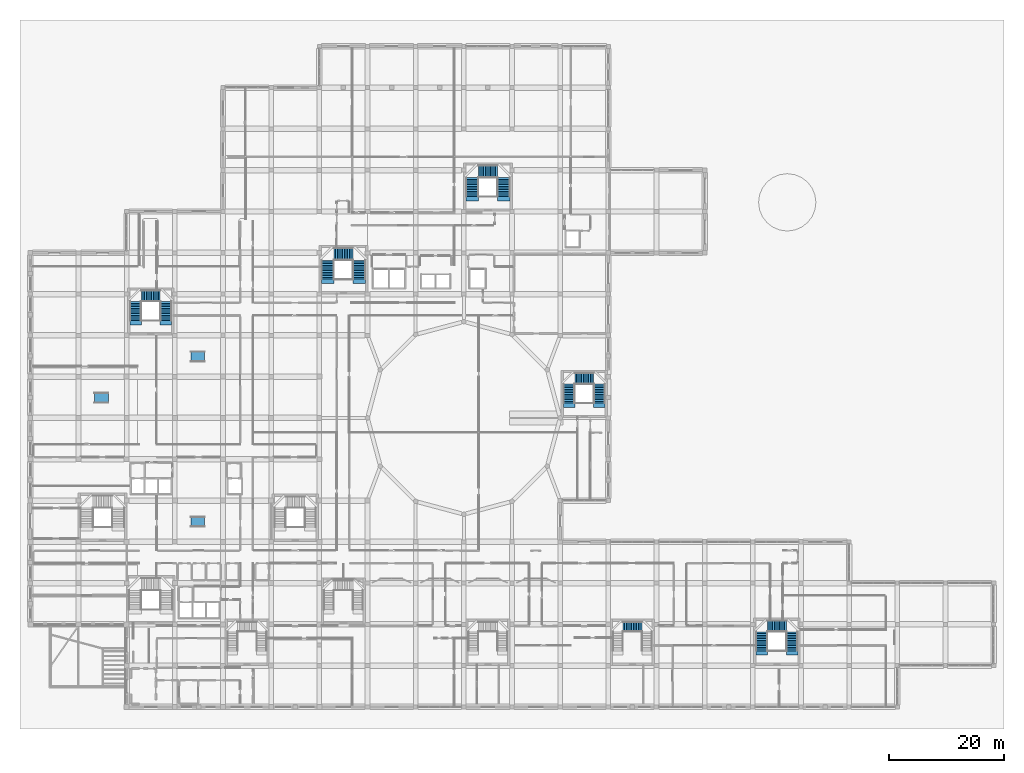
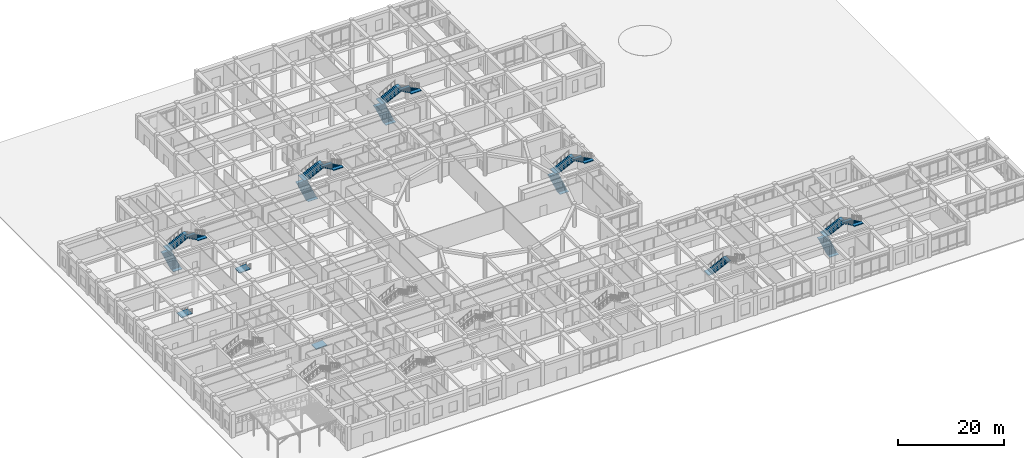
# One storey, part 78 of 84: 16 stair flights, 3 ramp flights, 9 elements without a shape of their own.
"""IFC4 building model written with IfcOpenShell, lengths in metres."""

import ifcopenshell
import ifcopenshell.guid

model = None  # the IFC model being written
_history = None  # IfcOwnerHistory: only IFC2X3 demands one
_inside = {}  # id of a spatial element -> (the spatial element, [elements in it])
_under = {}  # id of a project, library or spatial element -> (it, [spatial elements below it])
_declared = {}  # id of a project -> (the project, [libraries it declares])
_typed = {}  # id of a type object -> (the type object, [elements of that type])
_made_of = {}  # id of a material, layer set ... -> (it, [elements and type objects made of it])


def new_model(schema):
    """Start an empty IFC model of exactly this schema.

    Asked for "IFC4X3", IfcOpenShell would pick the latest addendum, in which some entities
    have other attributes; the version numbers below select the first issue.
    IFC2X3 requires an IfcOwnerHistory on every rooted entity: one is made here for all.
    """
    global model, _history
    if schema == "IFC4X3":
        model = ifcopenshell.file(schema_version=(4, 3, 0, 0))
    else:
        model = ifcopenshell.file(schema=schema)
    _inside.clear()
    _under.clear()
    _declared.clear()
    _typed.clear()
    _made_of.clear()
    _history = None
    if model.schema == "IFC2X3":
        org = make("IfcOrganization", Name="unknown")
        user = make(
            "IfcPersonAndOrganization",
            ThePerson=make("IfcPerson", FamilyName="unknown"),
            TheOrganization=org,
        )
        app = make(
            "IfcApplication",
            ApplicationDeveloper=org,
            Version="unknown",
            ApplicationFullName="unknown",
            ApplicationIdentifier="unknown",
        )
        _history = make(
            "IfcOwnerHistory",
            OwningUser=user,
            OwningApplication=app,
            ChangeAction="ADDED",
            CreationDate=0,
        )
    return model


def make(cls, **values):
    """One entity of the class cls with the attributes given. An attribute that is None is left unset."""
    return model.create_entity(
        cls, **{name: value for name, value in values.items() if value is not None}
    )


def rooted(cls, **values):
    """An entity with a GlobalId (a new one), such as an element, a storey or a relation."""
    return make(cls, GlobalId=ifcopenshell.guid.new(), OwnerHistory=_history, **values)


def si_unit(unit_type, name, prefix=None):
    """IfcSIUnit, for example si_unit("LENGTHUNIT", "METRE", prefix="MILLI")."""
    return make("IfcSIUnit", UnitType=unit_type, Prefix=prefix, Name=name)


def derived_unit(unit_type, elements):
    """IfcDerivedUnit: a product of units, each with its exponent."""
    return make(
        "IfcDerivedUnit",
        Elements=[
            make("IfcDerivedUnitElement", Unit=unit, Exponent=power)
            for unit, power in elements
        ],
        UnitType=unit_type,
    )


def assignment(units):
    """IfcUnitAssignment: the units of a project."""
    return None if units is None else make("IfcUnitAssignment", Units=units)


def point(xyz):
    """IfcCartesianPoint."""
    return None if xyz is None else make("IfcCartesianPoint", Coordinates=xyz)


def direction(xyz):
    """IfcDirection."""
    return None if xyz is None else make("IfcDirection", DirectionRatios=xyz)


def frame(location, z_axis=None, x_axis=None):
    """IfcAxis2Placement3D, a coordinate frame: its origin and axes. An axis left out is left unset."""
    return make(
        "IfcAxis2Placement3D",
        Location=point(location),
        Axis=direction(z_axis),
        RefDirection=direction(x_axis),
    )


def origin():
    """The frame at (0, 0, 0) with its axes left unset."""
    return frame((0.0, 0.0, 0.0))


def place(relative_to, where):
    """IfcLocalPlacement: puts the frame where relative to a parent placement (None: the world)."""
    return make(
        "IfcLocalPlacement", PlacementRelTo=relative_to, RelativePlacement=where
    )


def context(
    kind, dimensions, precision=None, world=None, true_north=None, identifier=None
):
    """IfcGeometricRepresentationContext, for example the 3D "Model" context."""
    return make(
        "IfcGeometricRepresentationContext",
        ContextIdentifier=identifier,
        ContextType=kind,
        CoordinateSpaceDimension=dimensions,
        Precision=precision,
        WorldCoordinateSystem=world,
        TrueNorth=true_north,
    )


def subcontext(parent, identifier, kind, view, scale=None):
    """IfcGeometricRepresentationSubContext, for example "Body" below "Model"."""
    return make(
        "IfcGeometricRepresentationSubContext",
        ContextIdentifier=identifier,
        ContextType=kind,
        ParentContext=parent,
        TargetScale=scale,
        TargetView=view,
    )


def project(units=None, contexts=None):
    """IfcProject with its units and contexts."""
    return rooted(
        "IfcProject",
        Name="project",
        RepresentationContexts=contexts,
        UnitsInContext=assignment(units),
    )


def spatial(cls, under=None, at=None, **own):
    """A site, building, storey or space (cls), placed at a placement, below another one or the project."""
    s = rooted(cls, ObjectPlacement=at, **own)
    if under is not None:
        _under.setdefault(under.id(), (under, []))[1].append(s)
    return s


def polyline(points):
    """IfcPolyline through the points."""
    return make("IfcPolyline", Points=[point(p) for p in points])


def outline(outer, holes=None, kind="AREA"):
    """IfcArbitraryClosedProfileDef: a profile drawn as a closed curve; with holes, ...WithVoids."""
    if holes is None:
        return make("IfcArbitraryClosedProfileDef", ProfileType=kind, OuterCurve=outer)
    return make(
        "IfcArbitraryProfileDefWithVoids",
        ProfileType=kind,
        OuterCurve=outer,
        InnerCurves=holes,
    )


def extrude(swept, where, along, depth):
    """IfcExtrudedAreaSolid: the profile swept, set in the frame where, extruded along a direction by depth."""
    return make(
        "IfcExtrudedAreaSolid",
        SweptArea=swept,
        Position=where,
        ExtrudedDirection=direction(along),
        Depth=depth,
    )


def shape(context_of_items, identifier, shape_type, items):
    """IfcShapeRepresentation: the items that make up one representation, for example the "Body"."""
    return make(
        "IfcShapeRepresentation",
        ContextOfItems=context_of_items,
        RepresentationIdentifier=identifier,
        RepresentationType=shape_type,
        Items=items,
    )


def material(Name=None, Category=None):
    """IfcMaterial."""
    return make("IfcMaterial", Name=Name, Category=Category)


def layer(
    of_material, thickness, ventilated=None, Name=None, Category=None, Priority=None
):
    """IfcMaterialLayer: one layer of a wall or slab, of a material (None: an air gap)."""
    return make(
        "IfcMaterialLayer",
        Material=of_material,
        LayerThickness=thickness,
        IsVentilated=ventilated,
        Name=Name,
        Category=Category,
        Priority=Priority,
    )


def layer_set(layers, Name=None):
    """IfcMaterialLayerSet."""
    return make("IfcMaterialLayerSet", MaterialLayers=layers, LayerSetName=Name)


def made_of(thing, what):
    """Note that an element or type object is made of a material, layer set ...; save() writes the relation."""
    if what is not None:
        _made_of.setdefault(what.id(), (what, []))[1].append(thing)
    return thing


def type_object(cls, material=None, **own):
    """A type object (cls), such as IfcWallType, which elements share."""
    return made_of(rooted(cls, **own), material)


def element(
    cls,
    number,
    at=None,
    inside=None,
    cuts=None,
    type_object=None,
    material=None,
    context=None,
    identifier="Body",
    shape_type=None,
    held_by="IfcProductDefinitionShape",
    body=None,
    shapes=None,
    **own,
):
    """One element of the class cls, such as IfcWall. Its Tag is "e" and its number.

    at: its placement. inside: the storey or other place that contains it. cuts: it is an
    opening in that element (IfcRelVoidsElement). A single representation is given by context,
    identifier, shape_type and body (its items); several are given by shapes. held_by: the class
    of the entity that holds the representations. save() writes the other relations.
    """
    e = rooted(cls, Tag="e%d" % number, ObjectPlacement=at, **own)
    if body is not None:
        shapes = [shape(context, identifier, shape_type, body)]
    if shapes is not None:
        e.Representation = make(held_by, Representations=shapes)
    if inside is not None:
        _inside.setdefault(inside.id(), (inside, []))[1].append(e)
    if cuts is not None:
        rooted(
            "IfcRelVoidsElement", RelatingBuildingElement=cuts, RelatedOpeningElement=e
        )
    if type_object is not None:
        _typed.setdefault(type_object.id(), (type_object, []))[1].append(e)
    return made_of(e, material)


def aggregate(whole, parts):
    """IfcRelAggregates: a whole, such as a stair, and the parts it consists of."""
    return rooted("IfcRelAggregates", RelatingObject=whole, RelatedObjects=parts)


def save(model, path):
    """Write the relations noted so far, then the file.

    IfcRelAggregates (storeys below a building ...), IfcRelContainedInSpatialStructure (elements
    in a storey), IfcRelDefinesByType, IfcRelAssociatesMaterial and IfcRelDeclares: one each for
    every whole, place, type object, material and project.
    """
    for whole, parts in _under.values():
        aggregate(whole, parts)
    for where, things in _inside.values():
        rooted(
            "IfcRelContainedInSpatialStructure",
            RelatedElements=things,
            RelatingStructure=where,
        )
    for kind, things in _typed.values():
        rooted("IfcRelDefinesByType", RelatedObjects=things, RelatingType=kind)
    for what, things in _made_of.values():
        rooted("IfcRelAssociatesMaterial", RelatedObjects=things, RelatingMaterial=what)
    for by, libraries in _declared.values():
        rooted("IfcRelDeclares", RelatingContext=by, RelatedDefinitions=libraries)
    model.write(path)


model = new_model("IFC4")

# Units and contexts
model_context = context("Model", 3, precision=1e-05, world=origin(), true_north=direction((0.0, 1.0)))
body_context = subcontext(model_context, "Body", "Model", "MODEL_VIEW")
ifc_project = project(units=[si_unit("LENGTHUNIT", "METRE"), si_unit("AREAUNIT", "SQUARE_METRE"), si_unit("VOLUMEUNIT", "CUBIC_METRE"), si_unit("PLANEANGLEUNIT", "RADIAN"), si_unit("MASSUNIT", "GRAM", prefix="KILO"), derived_unit("THERMALTRANSMITTANCEUNIT", [(si_unit("POWERUNIT", "WATT"), 1), (si_unit("LENGTHUNIT", "METRE"), -2), (si_unit("THERMODYNAMICTEMPERATUREUNIT", "KELVIN"), -1)])], contexts=[model_context])

# Site, building, storey
site_placement = place(None, origin())
site = spatial("IfcSite", under=ifc_project, at=site_placement, CompositionType="ELEMENT")
building_placement = place(site_placement, origin())
building = spatial("IfcBuilding", under=site, at=building_placement, Name="Veybourne Emporium", CompositionType="ELEMENT")
storey_placement = place(building_placement, origin())
storey = spatial("IfcBuildingStorey", under=building, at=storey_placement, Name="L00", CompositionType="ELEMENT", Elevation=0.0)

# Stair, stair flight
ifc_material = material(Name="Concrete C32/40", Category="concrete")
stair_type_1 = type_object("IfcStairType", Name="Stair_ST-11-R36", PredefinedType="HALF_TURN_STAIR", material=ifc_material)
stair_1_placement = place(storey_placement, origin())
stair_1 = element("IfcStair", 1, at=stair_1_placement, inside=storey, type_object=stair_type_1, Name="L00 stair ST-11", PredefinedType="HALF_TURN_STAIR")
stair_flight_type_1 = type_object("IfcStairFlightType", Name="Flight_FL-1800-R12", PredefinedType="STRAIGHT", material=ifc_material)
stair_flight_1_placement = place(storey_placement, frame((103.35009765625, 14.0, 1.800048828125), z_axis=(0.0, 0.0, 1.0), x_axis=(1.0, 0.0, 0.0)))
stair_flight_1 = element("IfcStairFlight", 2, at=stair_flight_1_placement, type_object=stair_flight_type_1, Name="ST-11-R36 flight 2", NumberOfRisers=12, NumberOfTreads=11, PredefinedType="STRAIGHT", RiserHeight=0.15, TreadLength=0.3, context=body_context, shape_type="SweptSolid", body=[
    extrude(outline(polyline([(-0.75, 0.0), (-0.75, 0.080078125), (-0.375, 0.080078125), (0.0, 0.080078125), (0.0, 0.14990234375), (0.300048828125, 0.14990234375), (0.300048828125, 0.300048828125), (0.60009765625, 0.300048828125), (0.60009765625, 0.449951171875), (0.89990234375, 0.449951171875), (0.89990234375, 0.60009765625), (1.199951171875, 0.60009765625), (1.199951171875, 0.75), (1.5, 0.75), (1.5, 0.89990234375), (1.800048828125, 0.89990234375), (1.800048828125, 1.050048828125), (2.10009765625, 1.050048828125), (2.10009765625, 1.199951171875), (2.39990234375, 1.199951171875), (2.39990234375, 1.35009765625), (2.699951171875, 1.35009765625), (2.699951171875, 1.5), (3.0, 1.5), (3.0, 1.64990234375), (3.300048828125, 1.64990234375), (3.300048828125, 1.800048828125), (3.675048828125, 1.800048828125), (4.050048828125, 1.800048828125), (4.050048828125, 1.639892578125), (3.675048828125, 1.639892578125), (3.300048828125, 1.47119140625), (0.357666015625, 0.0), (-0.75, 0.0)])), frame((0.0, 0.89990234375, 0.0), z_axis=(0.0, -1.0, 0.0), x_axis=(1.0, 0.0, 0.0)), (0.0, 0.0, 1.0), 1.800048828125),
])
aggregate(stair_1, [stair_flight_1])

# Stair, stair flights
stair_type_2 = type_object("IfcStairType", Name="Stair_ST-06-R36", PredefinedType="TWO_QUARTER_TURN_STAIR", material=ifc_material)
stair_2_placement = place(storey_placement, origin())
stair_2 = element("IfcStair", 3, at=stair_2_placement, inside=storey, type_object=stair_type_2, Name="L00 stair ST-06", PredefinedType="TWO_QUARTER_TURN_STAIR")
stair_flight_type_2 = type_object("IfcStairFlightType", Name="Flight_FL-2000-R12", PredefinedType="STRAIGHT", material=ifc_material)
stair_flight_2_placement = place(storey_placement, frame((127.550048828125, 9.800048828125, 0.0), z_axis=(0.0, 0.0, 1.0), x_axis=(0.0, 1.0, 0.0)))
stair_flight_2 = element("IfcStairFlight", 4, at=stair_flight_2_placement, type_object=stair_flight_type_2, Name="ST-06-R36 flight 1", NumberOfRisers=12, NumberOfTreads=11, PredefinedType="STRAIGHT", RiserHeight=0.15, TreadLength=0.3, context=body_context, shape_type="SweptSolid", body=[
    extrude(outline(polyline([(-0.75, 0.0), (-0.75, 0.080078125), (-0.375, 0.080078125), (0.0, 0.080078125), (0.0, 0.14990234375), (0.300048828125, 0.14990234375), (0.300048828125, 0.300048828125), (0.60009765625, 0.300048828125), (0.60009765625, 0.449951171875), (0.89990234375, 0.449951171875), (0.89990234375, 0.60009765625), (1.199951171875, 0.60009765625), (1.199951171875, 0.75), (1.5, 0.75), (1.5, 0.89990234375), (1.800048828125, 0.89990234375), (1.800048828125, 1.050048828125), (2.10009765625, 1.050048828125), (2.10009765625, 1.199951171875), (2.39990234375, 1.199951171875), (2.39990234375, 1.35009765625), (2.699951171875, 1.35009765625), (2.699951171875, 1.5), (3.0, 1.5), (3.0, 1.64990234375), (3.300048828125, 1.64990234375), (3.300048828125, 1.800048828125), (3.675048828125, 1.800048828125), (4.050048828125, 1.800048828125), (4.050048828125, 1.639892578125), (3.675048828125, 1.639892578125), (3.300048828125, 1.47119140625), (0.357666015625, 0.0), (-0.75, 0.0)])), frame((0.0, 1.0, 0.0), z_axis=(0.0, -1.0, 0.0), x_axis=(1.0, 0.0, 0.0)), (0.0, 0.0, 1.0), 2.0),
])
stair_flight_3_placement = place(storey_placement, frame((128.550048828125, 14.10009765625, 1.800048828125), z_axis=(0.0, 0.0, 1.0), x_axis=(1.0, 0.0, 0.0)))
stair_flight_3 = element("IfcStairFlight", 5, at=stair_flight_3_placement, type_object=stair_flight_type_2, Name="ST-06-R36 flight 2", NumberOfRisers=12, NumberOfTreads=11, PredefinedType="STRAIGHT", RiserHeight=0.15, TreadLength=0.3, context=body_context, shape_type="SweptSolid", body=[
    extrude(outline(polyline([(-0.75, 0.0), (-0.75, 0.080078125), (-0.375, 0.080078125), (0.0, 0.080078125), (0.0, 0.14990234375), (0.300048828125, 0.14990234375), (0.300048828125, 0.300048828125), (0.60009765625, 0.300048828125), (0.60009765625, 0.449951171875), (0.89990234375, 0.449951171875), (0.89990234375, 0.60009765625), (1.199951171875, 0.60009765625), (1.199951171875, 0.75), (1.5, 0.75), (1.5, 0.89990234375), (1.800048828125, 0.89990234375), (1.800048828125, 1.050048828125), (2.10009765625, 1.050048828125), (2.10009765625, 1.199951171875), (2.39990234375, 1.199951171875), (2.39990234375, 1.35009765625), (2.699951171875, 1.35009765625), (2.699951171875, 1.5), (3.0, 1.5), (3.0, 1.64990234375), (3.300048828125, 1.64990234375), (3.300048828125, 1.800048828125), (3.675048828125, 1.800048828125), (4.050048828125, 1.800048828125), (4.050048828125, 1.639892578125), (3.675048828125, 1.639892578125), (3.300048828125, 1.47119140625), (0.357666015625, 0.0), (-0.75, 0.0)])), frame((0.0, 1.0, 0.0), z_axis=(0.0, -1.0, 0.0), x_axis=(1.0, 0.0, 0.0)), (0.0, 0.0, 1.0), 2.0),
])
stair_flight_4_placement = place(storey_placement, frame((132.85009765625, 13.10009765625, 3.60009765625), z_axis=(0.0, 0.0, 1.0), x_axis=(0.0, -1.0, 0.0)))
stair_flight_4 = element("IfcStairFlight", 6, at=stair_flight_4_placement, type_object=stair_flight_type_2, Name="ST-06-R36 flight 3", NumberOfRisers=12, NumberOfTreads=11, PredefinedType="STRAIGHT", RiserHeight=0.15, TreadLength=0.3, context=body_context, shape_type="SweptSolid", body=[
    extrude(outline(polyline([(-0.75, 0.0), (-0.75, 0.080078125), (-0.375, 0.080078125), (0.0, 0.080078125), (0.0, 0.14990234375), (0.300048828125, 0.14990234375), (0.300048828125, 0.300048828125), (0.60009765625, 0.300048828125), (0.60009765625, 0.449951171875), (0.89990234375, 0.449951171875), (0.89990234375, 0.60009765625), (1.199951171875, 0.60009765625), (1.199951171875, 0.75), (1.5, 0.75), (1.5, 0.89990234375), (1.800048828125, 0.89990234375), (1.800048828125, 1.050048828125), (2.10009765625, 1.050048828125), (2.10009765625, 1.199951171875), (2.39990234375, 1.199951171875), (2.39990234375, 1.35009765625), (2.699951171875, 1.35009765625), (2.699951171875, 1.5), (3.0, 1.5), (3.0, 1.64990234375), (3.300048828125, 1.64990234375), (3.300048828125, 1.800048828125), (3.675048828125, 1.800048828125), (4.050048828125, 1.800048828125), (4.050048828125, 1.639892578125), (3.675048828125, 1.639892578125), (3.300048828125, 1.47119140625), (0.357666015625, 0.0), (-0.75, 0.0)])), frame((0.0, 1.0, 0.0), z_axis=(0.0, -1.0, 0.0), x_axis=(1.0, 0.0, 0.0)), (0.0, 0.0, 1.0), 2.0),
])
aggregate(stair_2, [stair_flight_2, stair_flight_3, stair_flight_4])

stair_type_3 = type_object("IfcStairType", Name="Stair_ST-07-R36", PredefinedType="TWO_QUARTER_TURN_STAIR", material=ifc_material)
stair_3_placement = place(storey_placement, origin())
stair_3 = element("IfcStair", 7, at=stair_3_placement, inside=storey, type_object=stair_type_3, Name="L00 stair ST-07", PredefinedType="TWO_QUARTER_TURN_STAIR")
stair_flight_5_placement = place(storey_placement, frame((93.949951171875, 53.0, 0.0), z_axis=(0.0, 0.0, 1.0), x_axis=(0.0, 1.0, 0.0)))
stair_flight_5 = element("IfcStairFlight", 8, at=stair_flight_5_placement, type_object=stair_flight_type_2, Name="ST-07-R36 flight 1", NumberOfRisers=12, NumberOfTreads=11, PredefinedType="STRAIGHT", RiserHeight=0.15, TreadLength=0.3, context=body_context, shape_type="SweptSolid", body=[
    extrude(outline(polyline([(-0.75, 0.0), (-0.75, 0.080078125), (-0.375, 0.080078125), (0.0, 0.080078125), (0.0, 0.14990234375), (0.300048828125, 0.14990234375), (0.300048828125, 0.300048828125), (0.60009765625, 0.300048828125), (0.60009765625, 0.449951171875), (0.89990234375, 0.449951171875), (0.89990234375, 0.60009765625), (1.199951171875, 0.60009765625), (1.199951171875, 0.75), (1.5, 0.75), (1.5, 0.89990234375), (1.800048828125, 0.89990234375), (1.800048828125, 1.050048828125), (2.10009765625, 1.050048828125), (2.10009765625, 1.199951171875), (2.39990234375, 1.199951171875), (2.39990234375, 1.35009765625), (2.699951171875, 1.35009765625), (2.699951171875, 1.5), (3.0, 1.5), (3.0, 1.64990234375), (3.300048828125, 1.64990234375), (3.300048828125, 1.800048828125), (3.675048828125, 1.800048828125), (4.050048828125, 1.800048828125), (4.050048828125, 1.639892578125), (3.675048828125, 1.639892578125), (3.300048828125, 1.47119140625), (0.357666015625, 0.0), (-0.75, 0.0)])), frame((0.0, 1.0, 0.0), z_axis=(0.0, -1.0, 0.0), x_axis=(1.0, 0.0, 0.0)), (0.0, 0.0, 1.0), 2.0),
])
stair_flight_6_placement = place(storey_placement, frame((94.949951171875, 57.300048828125, 1.800048828125), z_axis=(0.0, 0.0, 1.0), x_axis=(1.0, 0.0, 0.0)))
stair_flight_6 = element("IfcStairFlight", 9, at=stair_flight_6_placement, type_object=stair_flight_type_2, Name="ST-07-R36 flight 2", NumberOfRisers=12, NumberOfTreads=11, PredefinedType="STRAIGHT", RiserHeight=0.15, TreadLength=0.3, context=body_context, shape_type="SweptSolid", body=[
    extrude(outline(polyline([(-0.75, 0.0), (-0.75, 0.080078125), (-0.375, 0.080078125), (0.0, 0.080078125), (0.0, 0.14990234375), (0.300048828125, 0.14990234375), (0.300048828125, 0.300048828125), (0.60009765625, 0.300048828125), (0.60009765625, 0.449951171875), (0.89990234375, 0.449951171875), (0.89990234375, 0.60009765625), (1.199951171875, 0.60009765625), (1.199951171875, 0.75), (1.5, 0.75), (1.5, 0.89990234375), (1.800048828125, 0.89990234375), (1.800048828125, 1.050048828125), (2.10009765625, 1.050048828125), (2.10009765625, 1.199951171875), (2.39990234375, 1.199951171875), (2.39990234375, 1.35009765625), (2.699951171875, 1.35009765625), (2.699951171875, 1.5), (3.0, 1.5), (3.0, 1.64990234375), (3.300048828125, 1.64990234375), (3.300048828125, 1.800048828125), (3.675048828125, 1.800048828125), (4.050048828125, 1.800048828125), (4.050048828125, 1.639892578125), (3.675048828125, 1.639892578125), (3.300048828125, 1.47119140625), (0.357666015625, 0.0), (-0.75, 0.0)])), frame((0.0, 1.0, 0.0), z_axis=(0.0, -1.0, 0.0), x_axis=(1.0, 0.0, 0.0)), (0.0, 0.0, 1.0), 2.0),
])
stair_flight_7_placement = place(storey_placement, frame((99.25, 56.300048828125, 3.60009765625), z_axis=(0.0, 0.0, 1.0), x_axis=(0.0, -1.0, 0.0)))
stair_flight_7 = element("IfcStairFlight", 10, at=stair_flight_7_placement, type_object=stair_flight_type_2, Name="ST-07-R36 flight 3", NumberOfRisers=12, NumberOfTreads=11, PredefinedType="STRAIGHT", RiserHeight=0.15, TreadLength=0.3, context=body_context, shape_type="SweptSolid", body=[
    extrude(outline(polyline([(-0.75, 0.0), (-0.75, 0.080078125), (-0.375, 0.080078125), (0.0, 0.080078125), (0.0, 0.14990234375), (0.300048828125, 0.14990234375), (0.300048828125, 0.300048828125), (0.60009765625, 0.300048828125), (0.60009765625, 0.449951171875), (0.89990234375, 0.449951171875), (0.89990234375, 0.60009765625), (1.199951171875, 0.60009765625), (1.199951171875, 0.75), (1.5, 0.75), (1.5, 0.89990234375), (1.800048828125, 0.89990234375), (1.800048828125, 1.050048828125), (2.10009765625, 1.050048828125), (2.10009765625, 1.199951171875), (2.39990234375, 1.199951171875), (2.39990234375, 1.35009765625), (2.699951171875, 1.35009765625), (2.699951171875, 1.5), (3.0, 1.5), (3.0, 1.64990234375), (3.300048828125, 1.64990234375), (3.300048828125, 1.800048828125), (3.675048828125, 1.800048828125), (4.050048828125, 1.800048828125), (4.050048828125, 1.639892578125), (3.675048828125, 1.639892578125), (3.300048828125, 1.47119140625), (0.357666015625, 0.0), (-0.75, 0.0)])), frame((0.0, 1.0, 0.0), z_axis=(0.0, -1.0, 0.0), x_axis=(1.0, 0.0, 0.0)), (0.0, 0.0, 1.0), 2.0),
])
aggregate(stair_3, [stair_flight_5, stair_flight_6, stair_flight_7])

stair_type_4 = type_object("IfcStairType", Name="Stair_ST-08-R36", PredefinedType="TWO_QUARTER_TURN_STAIR", material=ifc_material)
stair_4_placement = place(storey_placement, origin())
stair_4 = element("IfcStair", 11, at=stair_4_placement, inside=storey, type_object=stair_type_4, Name="L00 stair ST-08", PredefinedType="TWO_QUARTER_TURN_STAIR")
stair_flight_8_placement = place(storey_placement, frame((18.35009765625, 67.39990234375, 0.0), z_axis=(0.0, 0.0, 1.0), x_axis=(0.0, 1.0, 0.0)))
stair_flight_8 = element("IfcStairFlight", 12, at=stair_flight_8_placement, type_object=stair_flight_type_2, Name="ST-08-R36 flight 1", NumberOfRisers=12, NumberOfTreads=11, PredefinedType="STRAIGHT", RiserHeight=0.15, TreadLength=0.3, context=body_context, shape_type="SweptSolid", body=[
    extrude(outline(polyline([(-0.75, 0.0), (-0.75, 0.080078125), (-0.375, 0.080078125), (0.0, 0.080078125), (0.0, 0.14990234375), (0.300048828125, 0.14990234375), (0.300048828125, 0.300048828125), (0.60009765625, 0.300048828125), (0.60009765625, 0.449951171875), (0.89990234375, 0.449951171875), (0.89990234375, 0.60009765625), (1.199951171875, 0.60009765625), (1.199951171875, 0.75), (1.5, 0.75), (1.5, 0.89990234375), (1.800048828125, 0.89990234375), (1.800048828125, 1.050048828125), (2.10009765625, 1.050048828125), (2.10009765625, 1.199951171875), (2.39990234375, 1.199951171875), (2.39990234375, 1.35009765625), (2.699951171875, 1.35009765625), (2.699951171875, 1.5), (3.0, 1.5), (3.0, 1.64990234375), (3.300048828125, 1.64990234375), (3.300048828125, 1.800048828125), (3.675048828125, 1.800048828125), (4.050048828125, 1.800048828125), (4.050048828125, 1.639892578125), (3.675048828125, 1.639892578125), (3.300048828125, 1.47119140625), (0.357666015625, 0.0), (-0.75, 0.0)])), frame((0.0, 1.0, 0.0), z_axis=(0.0, -1.0, 0.0), x_axis=(1.0, 0.0, 0.0)), (0.0, 0.0, 1.0), 2.0),
])
stair_flight_9_placement = place(storey_placement, frame((19.35009765625, 71.699951171875, 1.800048828125), z_axis=(0.0, 0.0, 1.0), x_axis=(1.0, 0.0, 0.0)))
stair_flight_9 = element("IfcStairFlight", 13, at=stair_flight_9_placement, type_object=stair_flight_type_2, Name="ST-08-R36 flight 2", NumberOfRisers=12, NumberOfTreads=11, PredefinedType="STRAIGHT", RiserHeight=0.15, TreadLength=0.3, context=body_context, shape_type="SweptSolid", body=[
    extrude(outline(polyline([(-0.75, 0.0), (-0.75, 0.080078125), (-0.375, 0.080078125), (0.0, 0.080078125), (0.0, 0.14990234375), (0.300048828125, 0.14990234375), (0.300048828125, 0.300048828125), (0.60009765625, 0.300048828125), (0.60009765625, 0.449951171875), (0.89990234375, 0.449951171875), (0.89990234375, 0.60009765625), (1.199951171875, 0.60009765625), (1.199951171875, 0.75), (1.5, 0.75), (1.5, 0.89990234375), (1.800048828125, 0.89990234375), (1.800048828125, 1.050048828125), (2.10009765625, 1.050048828125), (2.10009765625, 1.199951171875), (2.39990234375, 1.199951171875), (2.39990234375, 1.35009765625), (2.699951171875, 1.35009765625), (2.699951171875, 1.5), (3.0, 1.5), (3.0, 1.64990234375), (3.300048828125, 1.64990234375), (3.300048828125, 1.800048828125), (3.675048828125, 1.800048828125), (4.050048828125, 1.800048828125), (4.050048828125, 1.639892578125), (3.675048828125, 1.639892578125), (3.300048828125, 1.47119140625), (0.357666015625, 0.0), (-0.75, 0.0)])), frame((0.0, 1.0, 0.0), z_axis=(0.0, -1.0, 0.0), x_axis=(1.0, 0.0, 0.0)), (0.0, 0.0, 1.0), 2.0),
])
stair_flight_10_placement = place(storey_placement, frame((23.64990234375, 70.699951171875, 3.60009765625), z_axis=(0.0, 0.0, 1.0), x_axis=(0.0, -1.0, 0.0)))
stair_flight_10 = element("IfcStairFlight", 14, at=stair_flight_10_placement, type_object=stair_flight_type_2, Name="ST-08-R36 flight 3", NumberOfRisers=12, NumberOfTreads=11, PredefinedType="STRAIGHT", RiserHeight=0.15, TreadLength=0.3, context=body_context, shape_type="SweptSolid", body=[
    extrude(outline(polyline([(-0.75, 0.0), (-0.75, 0.080078125), (-0.375, 0.080078125), (0.0, 0.080078125), (0.0, 0.14990234375), (0.300048828125, 0.14990234375), (0.300048828125, 0.300048828125), (0.60009765625, 0.300048828125), (0.60009765625, 0.449951171875), (0.89990234375, 0.449951171875), (0.89990234375, 0.60009765625), (1.199951171875, 0.60009765625), (1.199951171875, 0.75), (1.5, 0.75), (1.5, 0.89990234375), (1.800048828125, 0.89990234375), (1.800048828125, 1.050048828125), (2.10009765625, 1.050048828125), (2.10009765625, 1.199951171875), (2.39990234375, 1.199951171875), (2.39990234375, 1.35009765625), (2.699951171875, 1.35009765625), (2.699951171875, 1.5), (3.0, 1.5), (3.0, 1.64990234375), (3.300048828125, 1.64990234375), (3.300048828125, 1.800048828125), (3.675048828125, 1.800048828125), (4.050048828125, 1.800048828125), (4.050048828125, 1.639892578125), (3.675048828125, 1.639892578125), (3.300048828125, 1.47119140625), (0.357666015625, 0.0), (-0.75, 0.0)])), frame((0.0, 1.0, 0.0), z_axis=(0.0, -1.0, 0.0), x_axis=(1.0, 0.0, 0.0)), (0.0, 0.0, 1.0), 2.0),
])
aggregate(stair_4, [stair_flight_8, stair_flight_9, stair_flight_10])

stair_type_5 = type_object("IfcStairType", Name="Stair_ST-03-R36", PredefinedType="TWO_QUARTER_TURN_STAIR", material=ifc_material)
stair_5_placement = place(storey_placement, origin())
stair_5 = element("IfcStair", 15, at=stair_5_placement, inside=storey, type_object=stair_type_5, Name="L00 stair ST-03", PredefinedType="TWO_QUARTER_TURN_STAIR")
stair_flight_type_3 = type_object("IfcStairFlightType", Name="Flight_FL-2200-R12", PredefinedType="STRAIGHT", material=ifc_material)
stair_flight_11_placement = place(storey_placement, frame((51.85009765625, 74.60009765625, 0.0), z_axis=(0.0, 0.0, 1.0), x_axis=(0.0, 1.0, 0.0)))
stair_flight_11 = element("IfcStairFlight", 16, at=stair_flight_11_placement, type_object=stair_flight_type_3, Name="ST-03-R36 flight 1", NumberOfRisers=12, NumberOfTreads=11, PredefinedType="STRAIGHT", RiserHeight=0.15, TreadLength=0.3, context=body_context, shape_type="SweptSolid", body=[
    extrude(outline(polyline([(-0.75, 0.0), (-0.75, 0.080078125), (-0.375, 0.080078125), (0.0, 0.080078125), (0.0, 0.14990234375), (0.300048828125, 0.14990234375), (0.300048828125, 0.300048828125), (0.60009765625, 0.300048828125), (0.60009765625, 0.449951171875), (0.89990234375, 0.449951171875), (0.89990234375, 0.60009765625), (1.199951171875, 0.60009765625), (1.199951171875, 0.75), (1.5, 0.75), (1.5, 0.89990234375), (1.800048828125, 0.89990234375), (1.800048828125, 1.050048828125), (2.10009765625, 1.050048828125), (2.10009765625, 1.199951171875), (2.39990234375, 1.199951171875), (2.39990234375, 1.35009765625), (2.699951171875, 1.35009765625), (2.699951171875, 1.5), (3.0, 1.5), (3.0, 1.64990234375), (3.300048828125, 1.64990234375), (3.300048828125, 1.800048828125), (3.675048828125, 1.800048828125), (4.050048828125, 1.800048828125), (4.050048828125, 1.639892578125), (3.675048828125, 1.639892578125), (3.300048828125, 1.47119140625), (0.357666015625, 0.0), (-0.75, 0.0)])), frame((0.0, 1.10009765625, 0.0), z_axis=(0.0, -1.0, 0.0), x_axis=(1.0, 0.0, 0.0)), (0.0, 0.0, 1.0), 2.199951171875),
])
stair_flight_12_placement = place(storey_placement, frame((52.949951171875, 79.0, 1.800048828125), z_axis=(0.0, 0.0, 1.0), x_axis=(1.0, 0.0, 0.0)))
stair_flight_12 = element("IfcStairFlight", 17, at=stair_flight_12_placement, type_object=stair_flight_type_3, Name="ST-03-R36 flight 2", NumberOfRisers=12, NumberOfTreads=11, PredefinedType="STRAIGHT", RiserHeight=0.15, TreadLength=0.3, context=body_context, shape_type="SweptSolid", body=[
    extrude(outline(polyline([(-0.75, 0.0), (-0.75, 0.080078125), (-0.375, 0.080078125), (0.0, 0.080078125), (0.0, 0.14990234375), (0.300048828125, 0.14990234375), (0.300048828125, 0.300048828125), (0.60009765625, 0.300048828125), (0.60009765625, 0.449951171875), (0.89990234375, 0.449951171875), (0.89990234375, 0.60009765625), (1.199951171875, 0.60009765625), (1.199951171875, 0.75), (1.5, 0.75), (1.5, 0.89990234375), (1.800048828125, 0.89990234375), (1.800048828125, 1.050048828125), (2.10009765625, 1.050048828125), (2.10009765625, 1.199951171875), (2.39990234375, 1.199951171875), (2.39990234375, 1.35009765625), (2.699951171875, 1.35009765625), (2.699951171875, 1.5), (3.0, 1.5), (3.0, 1.64990234375), (3.300048828125, 1.64990234375), (3.300048828125, 1.800048828125), (3.675048828125, 1.800048828125), (4.050048828125, 1.800048828125), (4.050048828125, 1.639892578125), (3.675048828125, 1.639892578125), (3.300048828125, 1.47119140625), (0.357666015625, 0.0), (-0.75, 0.0)])), frame((0.0, 1.10009765625, 0.0), z_axis=(0.0, -1.0, 0.0), x_axis=(1.0, 0.0, 0.0)), (0.0, 0.0, 1.0), 2.199951171875),
])
stair_flight_13_placement = place(storey_placement, frame((57.35009765625, 77.89990234375, 3.60009765625), z_axis=(0.0, 0.0, 1.0), x_axis=(0.0, -1.0, 0.0)))
stair_flight_13 = element("IfcStairFlight", 18, at=stair_flight_13_placement, type_object=stair_flight_type_3, Name="ST-03-R36 flight 3", NumberOfRisers=12, NumberOfTreads=11, PredefinedType="STRAIGHT", RiserHeight=0.15, TreadLength=0.3, context=body_context, shape_type="SweptSolid", body=[
    extrude(outline(polyline([(-0.75, 0.0), (-0.75, 0.080078125), (-0.375, 0.080078125), (0.0, 0.080078125), (0.0, 0.14990234375), (0.300048828125, 0.14990234375), (0.300048828125, 0.300048828125), (0.60009765625, 0.300048828125), (0.60009765625, 0.449951171875), (0.89990234375, 0.449951171875), (0.89990234375, 0.60009765625), (1.199951171875, 0.60009765625), (1.199951171875, 0.75), (1.5, 0.75), (1.5, 0.89990234375), (1.800048828125, 0.89990234375), (1.800048828125, 1.050048828125), (2.10009765625, 1.050048828125), (2.10009765625, 1.199951171875), (2.39990234375, 1.199951171875), (2.39990234375, 1.35009765625), (2.699951171875, 1.35009765625), (2.699951171875, 1.5), (3.0, 1.5), (3.0, 1.64990234375), (3.300048828125, 1.64990234375), (3.300048828125, 1.800048828125), (3.675048828125, 1.800048828125), (4.050048828125, 1.800048828125), (4.050048828125, 1.639892578125), (3.675048828125, 1.639892578125), (3.300048828125, 1.47119140625), (0.357666015625, 0.0), (-0.75, 0.0)])), frame((0.0, 1.10009765625, 0.0), z_axis=(0.0, -1.0, 0.0), x_axis=(1.0, 0.0, 0.0)), (0.0, 0.0, 1.0), 2.199951171875),
])
aggregate(stair_5, [stair_flight_11, stair_flight_12, stair_flight_13])

stair_type_6 = type_object("IfcStairType", Name="Stair_ST-04-R36", PredefinedType="TWO_QUARTER_TURN_STAIR", material=ifc_material)
stair_6_placement = place(storey_placement, origin())
stair_6 = element("IfcStair", 19, at=stair_6_placement, inside=storey, type_object=stair_type_6, Name="L00 stair ST-04", PredefinedType="TWO_QUARTER_TURN_STAIR")
stair_flight_14_placement = place(storey_placement, frame((77.050048828125, 89.0, 0.0), z_axis=(0.0, 0.0, 1.0), x_axis=(0.0, 1.0, 0.0)))
stair_flight_14 = element("IfcStairFlight", 20, at=stair_flight_14_placement, type_object=stair_flight_type_3, Name="ST-04-R36 flight 1", NumberOfRisers=12, NumberOfTreads=11, PredefinedType="STRAIGHT", RiserHeight=0.15, TreadLength=0.3, context=body_context, shape_type="SweptSolid", body=[
    extrude(outline(polyline([(-0.75, 0.0), (-0.75, 0.080078125), (-0.375, 0.080078125), (0.0, 0.080078125), (0.0, 0.14990234375), (0.300048828125, 0.14990234375), (0.300048828125, 0.300048828125), (0.60009765625, 0.300048828125), (0.60009765625, 0.449951171875), (0.89990234375, 0.449951171875), (0.89990234375, 0.60009765625), (1.199951171875, 0.60009765625), (1.199951171875, 0.75), (1.5, 0.75), (1.5, 0.89990234375), (1.800048828125, 0.89990234375), (1.800048828125, 1.050048828125), (2.10009765625, 1.050048828125), (2.10009765625, 1.199951171875), (2.39990234375, 1.199951171875), (2.39990234375, 1.35009765625), (2.699951171875, 1.35009765625), (2.699951171875, 1.5), (3.0, 1.5), (3.0, 1.64990234375), (3.300048828125, 1.64990234375), (3.300048828125, 1.800048828125), (3.675048828125, 1.800048828125), (4.050048828125, 1.800048828125), (4.050048828125, 1.639892578125), (3.675048828125, 1.639892578125), (3.300048828125, 1.47119140625), (0.357666015625, 0.0), (-0.75, 0.0)])), frame((0.0, 1.10009765625, 0.0), z_axis=(0.0, -1.0, 0.0), x_axis=(1.0, 0.0, 0.0)), (0.0, 0.0, 1.0), 2.199951171875),
])
stair_flight_15_placement = place(storey_placement, frame((78.14990234375, 93.39990234375, 1.800048828125), z_axis=(0.0, 0.0, 1.0), x_axis=(1.0, 0.0, 0.0)))
stair_flight_15 = element("IfcStairFlight", 21, at=stair_flight_15_placement, type_object=stair_flight_type_3, Name="ST-04-R36 flight 2", NumberOfRisers=12, NumberOfTreads=11, PredefinedType="STRAIGHT", RiserHeight=0.15, TreadLength=0.3, context=body_context, shape_type="SweptSolid", body=[
    extrude(outline(polyline([(-0.75, 0.0), (-0.75, 0.080078125), (-0.375, 0.080078125), (0.0, 0.080078125), (0.0, 0.14990234375), (0.300048828125, 0.14990234375), (0.300048828125, 0.300048828125), (0.60009765625, 0.300048828125), (0.60009765625, 0.449951171875), (0.89990234375, 0.449951171875), (0.89990234375, 0.60009765625), (1.199951171875, 0.60009765625), (1.199951171875, 0.75), (1.5, 0.75), (1.5, 0.89990234375), (1.800048828125, 0.89990234375), (1.800048828125, 1.050048828125), (2.10009765625, 1.050048828125), (2.10009765625, 1.199951171875), (2.39990234375, 1.199951171875), (2.39990234375, 1.35009765625), (2.699951171875, 1.35009765625), (2.699951171875, 1.5), (3.0, 1.5), (3.0, 1.64990234375), (3.300048828125, 1.64990234375), (3.300048828125, 1.800048828125), (3.675048828125, 1.800048828125), (4.050048828125, 1.800048828125), (4.050048828125, 1.639892578125), (3.675048828125, 1.639892578125), (3.300048828125, 1.47119140625), (0.357666015625, 0.0), (-0.75, 0.0)])), frame((0.0, 1.10009765625, 0.0), z_axis=(0.0, -1.0, 0.0), x_axis=(1.0, 0.0, 0.0)), (0.0, 0.0, 1.0), 2.199951171875),
])
stair_flight_16_placement = place(storey_placement, frame((82.550048828125, 92.300048828125, 3.60009765625), z_axis=(0.0, 0.0, 1.0), x_axis=(0.0, -1.0, 0.0)))
stair_flight_16 = element("IfcStairFlight", 22, at=stair_flight_16_placement, type_object=stair_flight_type_3, Name="ST-04-R36 flight 3", NumberOfRisers=12, NumberOfTreads=11, PredefinedType="STRAIGHT", RiserHeight=0.15, TreadLength=0.3, context=body_context, shape_type="SweptSolid", body=[
    extrude(outline(polyline([(-0.75, 0.0), (-0.75, 0.080078125), (-0.375, 0.080078125), (0.0, 0.080078125), (0.0, 0.14990234375), (0.300048828125, 0.14990234375), (0.300048828125, 0.300048828125), (0.60009765625, 0.300048828125), (0.60009765625, 0.449951171875), (0.89990234375, 0.449951171875), (0.89990234375, 0.60009765625), (1.199951171875, 0.60009765625), (1.199951171875, 0.75), (1.5, 0.75), (1.5, 0.89990234375), (1.800048828125, 0.89990234375), (1.800048828125, 1.050048828125), (2.10009765625, 1.050048828125), (2.10009765625, 1.199951171875), (2.39990234375, 1.199951171875), (2.39990234375, 1.35009765625), (2.699951171875, 1.35009765625), (2.699951171875, 1.5), (3.0, 1.5), (3.0, 1.64990234375), (3.300048828125, 1.64990234375), (3.300048828125, 1.800048828125), (3.675048828125, 1.800048828125), (4.050048828125, 1.800048828125), (4.050048828125, 1.639892578125), (3.675048828125, 1.639892578125), (3.300048828125, 1.47119140625), (0.357666015625, 0.0), (-0.75, 0.0)])), frame((0.0, 1.10009765625, 0.0), z_axis=(0.0, -1.0, 0.0), x_axis=(1.0, 0.0, 0.0)), (0.0, 0.0, 1.0), 2.199951171875),
])
aggregate(stair_6, [stair_flight_14, stair_flight_15, stair_flight_16])

# Ramp, ramp flight
ramp_type = type_object("IfcRampType", Name="Ramp_RMP-01", PredefinedType="STRAIGHT_RUN_RAMP", material=ifc_material)
ramp_1_placement = place(storey_placement, origin())
ramp_1 = element("IfcRamp", 23, at=ramp_1_placement, inside=storey, type_object=ramp_type, Name="Step-free threshold transition ramp RMP-01", PredefinedType="STRAIGHT_RUN_RAMP")
ifc_layer = layer(ifc_material, 0.179931640625)
ifc_layer_set = layer_set([ifc_layer], Name="Concrete C32/40")
ramp_flight_type = type_object("IfcRampFlightType", Name="RampFlight_RFL-01", PredefinedType="STRAIGHT", material=ifc_layer_set)
ramp_flight_1_placement = place(storey_placement, frame((11.199951171875, 53.0, 0.0), z_axis=(-0.049983219245, 0.0, 0.998750057719), x_axis=(0.998750057719, 0.0, 0.049983219245)))
ramp_flight_1 = element("IfcRampFlight", 24, at=ramp_flight_1_placement, type_object=ramp_flight_type, Name="Ramp RMP-01 solid flight", PredefinedType="STRAIGHT", context=body_context, shape_type="SweptSolid", body=[
    extrude(outline(polyline([(0.0, 0.0), (2.4031502835217324, 0.0), (2.4031502835217324, 1.800048828125), (0.0, 1.800048828125), (0.0, 0.0)])), origin(), (0.0, 0.0, -1.0), 0.179931640625),
])
aggregate(ramp_1, [ramp_flight_1])

ramp_2_placement = place(storey_placement, origin())
ramp_2 = element("IfcRamp", 25, at=ramp_2_placement, inside=storey, type_object=ramp_type, Name="Step-free threshold transition ramp RMP-02", PredefinedType="STRAIGHT_RUN_RAMP")
ramp_flight_2_placement = place(storey_placement, frame((28.0, 31.39990234375, 0.0), z_axis=(-0.049988291303, 0.0, 0.998749803871), x_axis=(0.998749803871, 0.0, 0.049988291303)))
ramp_flight_2 = element("IfcRampFlight", 26, at=ramp_flight_2_placement, type_object=ramp_flight_type, Name="Ramp RMP-02 solid flight", PredefinedType="STRAIGHT", context=body_context, shape_type="SweptSolid", body=[
    extrude(outline(polyline([(0.0, 0.0), (2.4029064480894076, 0.0), (2.4029064480894076, 1.800048828125), (0.0, 1.800048828125), (0.0, 0.0)])), origin(), (0.0, 0.0, -1.0), 0.179931640625),
])
aggregate(ramp_2, [ramp_flight_2])

ramp_3_placement = place(storey_placement, origin())
ramp_3 = element("IfcRamp", 27, at=ramp_3_placement, inside=storey, type_object=ramp_type, Name="Step-free threshold transition ramp RMP-03", PredefinedType="STRAIGHT_RUN_RAMP")
ramp_flight_3_placement = place(storey_placement, frame((28.0, 60.199951171875, 0.0), z_axis=(-0.049988291303, 0.0, 0.998749803871), x_axis=(0.998749803871, 0.0, 0.049988291303)))
ramp_flight_3 = element("IfcRampFlight", 28, at=ramp_flight_3_placement, type_object=ramp_flight_type, Name="Ramp RMP-03 solid flight", PredefinedType="STRAIGHT", context=body_context, shape_type="SweptSolid", body=[
    extrude(outline(polyline([(0.0, 0.0), (2.4029064480894076, 0.0), (2.4029064480894076, 1.800048828125), (0.0, 1.800048828125), (0.0, 0.0)])), origin(), (0.0, 0.0, -1.0), 0.179931640625),
])
aggregate(ramp_3, [ramp_flight_3])

save(model, "model.ifc")
